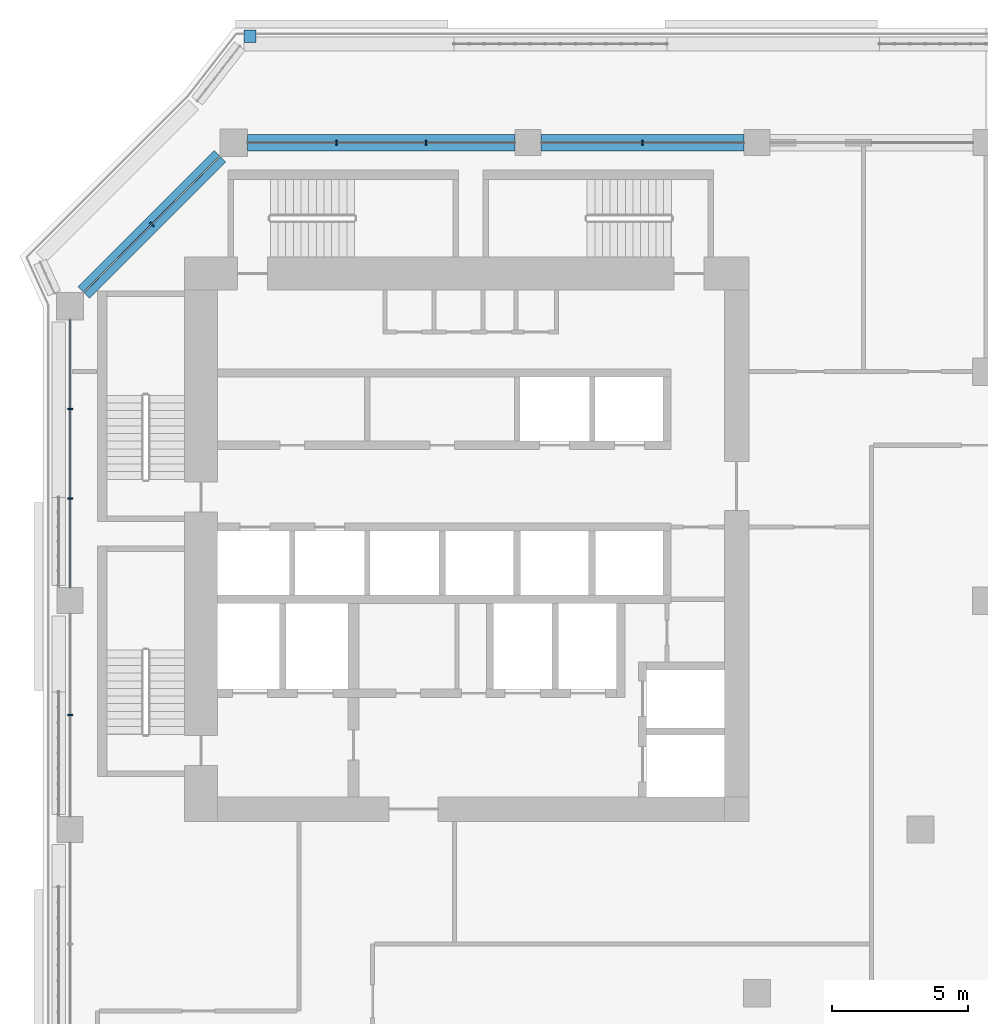
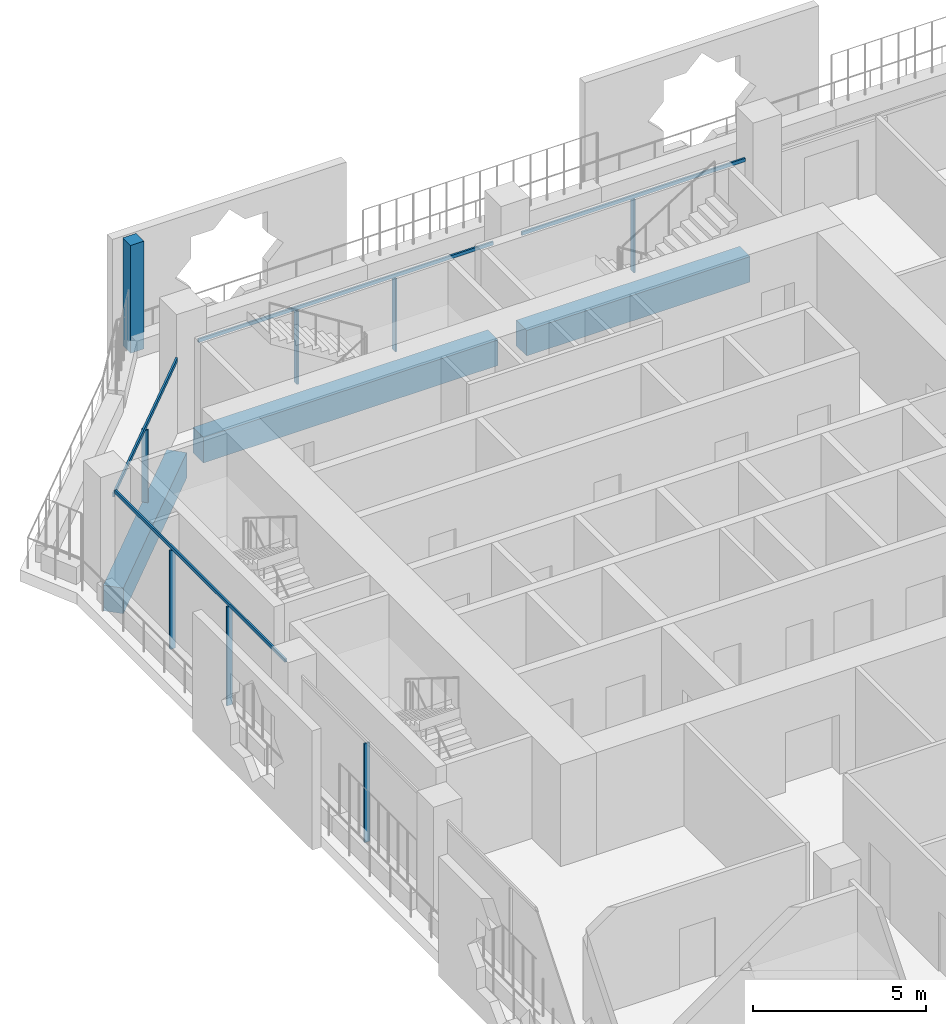
# One storey, part 5 of 21: 12 members, 3 beams, 4 elements without a shape of their own.
"""IFC4 building model written with IfcOpenShell, lengths in metres."""

from ifc_helpers import new_model, si_unit, direction, frame, origin, origin_2d, place, context, subcontext, project, spatial, rectangle, extrude, material, layer, layer_set, material_profile, profile_set, type_object, element, aggregate, save


model = new_model("IFC4")

# Units and contexts
model_context = context("Model", 3, precision=1e-05, world=origin(), true_north=direction((0.0, 1.0)))
body_context = subcontext(model_context, "Body", "Model", "MODEL_VIEW")
ifc_project = project(units=[si_unit("LENGTHUNIT", "METRE"), si_unit("AREAUNIT", "SQUARE_METRE"), si_unit("VOLUMEUNIT", "CUBIC_METRE"), si_unit("PLANEANGLEUNIT", "RADIAN"), si_unit("MASSUNIT", "GRAM", prefix="KILO")], contexts=[model_context])

# Site, building, storey
site_placement = place(None, origin())
site = spatial("IfcSite", under=ifc_project, at=site_placement, CompositionType="ELEMENT")
building_placement = place(site_placement, origin())
building = spatial("IfcBuilding", under=site, at=building_placement, Name="Kawkab Arch Medical Tower", CompositionType="ELEMENT")
storey_placement = place(building_placement, frame((0.0, 0.0, 200.39990234375)))
storey = spatial("IfcBuildingStorey", under=building, at=storey_placement, Name="L46", CompositionType="ELEMENT", Elevation=200.39990234375)

# Curtain wall, members
ifc_material_1 = material(Name="Bronze anodised aluminium curtain wall frame", Category="aluminium")
ifc_layer_1 = layer(ifc_material_1, 0.159912109375)
ifc_layer_set_1 = layer_set([ifc_layer_1], Name="Bronze anodised aluminium curtain wall frame")
curtain_wall_type_1 = type_object("IfcCurtainWallType", Name="CW1 ward curtain wall", PredefinedType="NOTDEFINED", material=ifc_layer_set_1)
placement = place(storey_placement, origin())
curtain_wall_1 = element("IfcCurtainWall", 1, at=placement, inside=storey, type_object=curtain_wall_type_1, Name="CW1 Ward curtain wall R01", PredefinedType="NOTDEFINED")
ifc_material_2 = material(Name="Bronze anodised aluminium curtain wall frame", Category="aluminium")
ifc_material_profile_1 = material_profile(ifc_material_2, rectangle(XDim=0.179931640625, YDim=0.06005859375, at=origin_2d()), Name="AL 60x180")
ifc_profile_set_1 = profile_set([ifc_material_profile_1], Name="Bronze anodised aluminium curtain wall frame")
member_type_1 = type_object("IfcMemberType", Name="CW1 mullion 60 x 180", PredefinedType="MULLION", material=ifc_profile_set_1)
member_1_placement = place(storey_placement, frame((0.0, -9.77490234375, 0.0), z_axis=(0.0, 0.0, 1.0), x_axis=(1.0, 0.0, 0.0)))
member_1 = element("IfcMember", 2, at=member_1_placement, type_object=member_type_1, Name="CW1 mullion 1.1", PredefinedType="MULLION", context=body_context, shape_type="SweptSolid", body=[
    extrude(rectangle(XDim=0.179931640625, YDim=0.06005859375, at=origin_2d()), origin(), (0.0, 0.0, 1.0), 3.47998046875),
])
member_2_placement = place(storey_placement, frame((0.0, -13.050048828125, 0.0), z_axis=(0.0, 0.0, 1.0), x_axis=(1.0, 0.0, 0.0)))
member_2 = element("IfcMember", 3, at=member_2_placement, type_object=member_type_1, Name="CW1 mullion 1.2", PredefinedType="MULLION", context=body_context, shape_type="SweptSolid", body=[
    extrude(rectangle(XDim=0.179931640625, YDim=0.06005859375, at=origin_2d()), origin(), (0.0, 0.0, 1.0), 3.47998046875),
])
member_3_placement = place(storey_placement, frame((0.0, -21.0, 0.0), z_axis=(0.0, 0.0, 1.0), x_axis=(1.0, 0.0, 0.0)))
member_3 = element("IfcMember", 4, at=member_3_placement, type_object=member_type_1, Name="CW1 mullion 2.1", PredefinedType="MULLION", context=body_context, shape_type="SweptSolid", body=[
    extrude(rectangle(XDim=0.179931640625, YDim=0.06005859375, at=origin_2d()), origin(), (0.0, 0.0, 1.0), 3.47998046875),
])

curtain_wall_2 = element("IfcCurtainWall", 5, at=placement, inside=storey, type_object=curtain_wall_type_1, Name="CW1 Ward curtain wall R11", PredefinedType="NOTDEFINED")
member_4_placement = place(storey_placement, frame((21.0, 0.0, 0.0), z_axis=(0.0, 0.0, 1.0), x_axis=(0.0, -1.0, 0.0)))
member_4 = element("IfcMember", 6, at=member_4_placement, type_object=member_type_1, Name="CW1 mullion 5.1", PredefinedType="MULLION", context=body_context, shape_type="SweptSolid", body=[
    extrude(rectangle(XDim=0.179931640625, YDim=0.06005859375, at=origin_2d()), origin(), (0.0, 0.0, 1.0), 2.580078125),
])
member_5_placement = place(storey_placement, frame((13.050048828125, 0.0, 0.0), z_axis=(0.0, 0.0, 1.0), x_axis=(0.0, -1.0, 0.0)))
member_5 = element("IfcMember", 7, at=member_5_placement, type_object=member_type_1, Name="CW1 mullion 6.1", PredefinedType="MULLION", context=body_context, shape_type="SweptSolid", body=[
    extrude(rectangle(XDim=0.179931640625, YDim=0.06005859375, at=origin_2d()), origin(), (0.0, 0.0, 1.0), 2.580078125),
])
member_6_placement = place(storey_placement, frame((9.77490234375, 0.0, 0.0), z_axis=(0.0, 0.0, 1.0), x_axis=(0.0, -1.0, 0.0)))
member_6 = element("IfcMember", 8, at=member_6_placement, type_object=member_type_1, Name="CW1 mullion 6.2", PredefinedType="MULLION", context=body_context, shape_type="SweptSolid", body=[
    extrude(rectangle(XDim=0.179931640625, YDim=0.06005859375, at=origin_2d()), origin(), (0.0, 0.0, 1.0), 2.580078125),
])

# Member
ifc_material_3 = material(Name="Bronze anodised aluminium curtain wall frame", Category="aluminium")
ifc_material_profile_2 = material_profile(ifc_material_3, rectangle(XDim=0.06005859375, YDim=0.1201171875, at=origin_2d()), Name="AL 60x120")
ifc_profile_set_2 = profile_set([ifc_material_profile_2], Name="Bronze anodised aluminium curtain wall frame")
member_type_2 = type_object("IfcMemberType", Name="CW1 transom 120 x 60", PredefinedType="USERDEFINED", material=ifc_profile_set_2)
member_7_placement = place(storey_placement, frame((0.0, -6.5, 3.5400390625), z_axis=(0.0, -1.0, 0.0), x_axis=(1.0, 0.0, 0.0)))
member_7 = element("IfcMember", 9, at=member_7_placement, type_object=member_type_2, Name="CW1 transom 1", ObjectType="TRANSOM", PredefinedType="USERDEFINED", context=body_context, shape_type="SweptSolid", body=[
    extrude(rectangle(XDim=0.06005859375, YDim=0.1201171875, at=origin_2d()), origin(), (0.0, 0.0, 1.0), 9.824951171875),
])

aggregate(curtain_wall_1, [member_7, member_1, member_2, member_3])

member_8_placement = place(storey_placement, frame((24.72509765625, 0.0, 2.64013671875), z_axis=(-1.0, 0.0, 0.0), x_axis=(0.0, -1.0, 0.0)))
member_8 = element("IfcMember", 10, at=member_8_placement, type_object=member_type_2, Name="CW1 transom 5", ObjectType="TRANSOM", PredefinedType="USERDEFINED", context=body_context, shape_type="SweptSolid", body=[
    extrude(rectangle(XDim=0.06005859375, YDim=0.1201171875, at=origin_2d()), origin(), (0.0, 0.0, 1.0), 7.4501953125),
])

member_9_placement = place(storey_placement, frame((16.324951171875, 0.0, 2.64013671875), z_axis=(-1.0, 0.0, 0.0), x_axis=(0.0, -1.0, 0.0)))
member_9 = element("IfcMember", 11, at=member_9_placement, type_object=member_type_2, Name="CW1 transom 6", ObjectType="TRANSOM", PredefinedType="USERDEFINED", context=body_context, shape_type="SweptSolid", body=[
    extrude(rectangle(XDim=0.06005859375, YDim=0.1201171875, at=origin_2d()), origin(), (0.0, 0.0, 1.0), 9.824951171875),
])

aggregate(curtain_wall_2, [member_8, member_4, member_9, member_5, member_6])

# Curtain wall, members
ifc_material_4 = material(Name="Bronze anodised aluminium curtain wall frame", Category="aluminium")
ifc_layer_2 = layer(ifc_material_4, 0.159912109375)
ifc_layer_set_2 = layer_set([ifc_layer_2], Name="Bronze anodised aluminium curtain wall frame")
curtain_wall_type_2 = type_object("IfcCurtainWallType", Name="CW2 chamfer curtain wall", PredefinedType="NOTDEFINED", material=ifc_layer_set_2)
curtain_wall_3 = element("IfcCurtainWall", 12, at=placement, inside=storey, type_object=curtain_wall_type_2, Name="CW2 Chamfer curtain wall R12", PredefinedType="NOTDEFINED")
ifc_material_5 = material(Name="Bronze anodised aluminium curtain wall frame", Category="aluminium")
ifc_material_profile_3 = material_profile(ifc_material_5, rectangle(XDim=0.199951171875, YDim=0.06005859375, at=origin_2d()), Name="AL 60x200")
ifc_profile_set_3 = profile_set([ifc_material_profile_3], Name="Bronze anodised aluminium curtain wall frame")
member_type_3 = type_object("IfcMemberType", Name="CW2 mullion 60 x 200", PredefinedType="MULLION", material=ifc_profile_set_3)
member_10_placement = place(storey_placement, frame((3.0, -3.0, 0.0), z_axis=(0.0, 0.0, 1.0), x_axis=(0.707106781187, -0.707106781187, 0.0)))
member_10 = element("IfcMember", 13, at=member_10_placement, type_object=member_type_3, Name="CW2 mullion 1.1", PredefinedType="MULLION", context=body_context, shape_type="SweptSolid", body=[
    extrude(rectangle(XDim=0.199951171875, YDim=0.06005859375, at=origin_2d()), origin(), (0.0, 0.0, 1.0), 2.56005859375),
])
ifc_material_6 = material(Name="Bronze anodised aluminium curtain wall frame", Category="aluminium")
ifc_material_profile_4 = material_profile(ifc_material_6, rectangle(XDim=0.06005859375, YDim=0.139892578125, at=origin_2d()), Name="AL 60x140")
ifc_profile_set_4 = profile_set([ifc_material_profile_4], Name="Bronze anodised aluminium curtain wall frame")
member_type_4 = type_object("IfcMemberType", Name="CW2 transom 140 x 60", PredefinedType="USERDEFINED", material=ifc_profile_set_4)
member_11_placement = place(storey_placement, frame((5.5, -0.5, 2.630126953125), z_axis=(-0.707106781187, -0.707106781187, 0.0), x_axis=(0.707106781187, -0.707106781187, 0.0)))
member_11 = element("IfcMember", 14, at=member_11_placement, type_object=member_type_4, Name="CW2 transom 1", ObjectType="TRANSOM", PredefinedType="USERDEFINED", context=body_context, shape_type="SweptSolid", body=[
    extrude(rectangle(XDim=0.06005859375, YDim=0.139892578125, at=origin_2d()), origin(), (0.0, 0.0, 1.0), 7.071044921875),
])
aggregate(curtain_wall_3, [member_11, member_10])

# Curtain wall, member
ifc_material_7 = material(Name="Bronze anodised aluminium climber frame, planted", Category="aluminium")
ifc_layer_3 = layer(ifc_material_7, 0.449951171875)
ifc_layer_set_3 = layer_set([ifc_layer_3], Name="Bronze anodised aluminium climber frame, planted")
curtain_wall_type_3 = type_object("IfcCurtainWallType", Name="Planted climber frame", PredefinedType="NOTDEFINED", material=ifc_layer_set_3)
curtain_wall_4 = element("IfcCurtainWall", 15, at=placement, inside=storey, type_object=curtain_wall_type_3, Name="Planted climber frame L46", PredefinedType="NOTDEFINED")
ifc_material_8 = material(Name="Bronze anodised aluminium climber frame, planted", Category="aluminium")
ifc_material_profile_5 = material_profile(ifc_material_8, rectangle(XDim=0.449951171875, YDim=0.449951171875, at=origin_2d()), Name="Post 450x450")
ifc_profile_set_5 = profile_set([ifc_material_profile_5], Name="Bronze anodised aluminium climber frame, planted")
member_type_5 = type_object("IfcMemberType", Name="Planted climber post 450 x 450", PredefinedType="MULLION", material=ifc_profile_set_5)
member_12_placement = place(storey_placement, frame((6.596923828125, 3.89990234375, 0.0), z_axis=(0.0, 0.0, 1.0), x_axis=(1.0, 0.0, 0.0)))
member_12 = element("IfcMember", 16, at=member_12_placement, type_object=member_type_5, Name="Planted climber post L46.LOG-01-01.1", PredefinedType="MULLION", context=body_context, shape_type="SweptSolid", body=[
    extrude(rectangle(XDim=0.449951171875, YDim=0.449951171875, at=origin_2d()), origin(), (0.0, 0.0, 1.0), 3.800048828125),
])
aggregate(curtain_wall_4, [member_12])

# Beams
ifc_material_9 = material(Name="Concrete C50/60", Category="concrete")
ifc_material_profile_6 = material_profile(ifc_material_9, rectangle(XDim=0.60009765625, YDim=0.89990234375, at=origin_2d()), Name="RC 600x900")
ifc_profile_set_6 = profile_set([ifc_material_profile_6], Name="Concrete C50/60")
beam_type = type_object("IfcBeamType", Name="RC 600x900 beam C50/60", PredefinedType="BEAM", material=ifc_profile_set_6)
beam_1_placement = place(storey_placement, frame((0.5, -5.5, -1.0498046875), z_axis=(0.707106781187, 0.707106781187, 0.0), x_axis=(-0.707106781187, 0.707106781187, 0.0)))
element("IfcBeam", 17, at=beam_1_placement, inside=storey, type_object=beam_type, Name="Overhang edge beam L46-01", PredefinedType="BEAM", context=body_context, shape_type="SweptSolid", body=[
    extrude(rectangle(XDim=0.60009765625, YDim=0.89990234375, at=origin_2d()), origin(), (0.0, 0.0, 1.0), 7.071044921875),
])
beam_2_placement = place(storey_placement, frame((6.5, 0.0, -1.0498046875), z_axis=(1.0, 0.0, 0.0), x_axis=(0.0, 1.0, 0.0)))
element("IfcBeam", 18, at=beam_2_placement, inside=storey, type_object=beam_type, Name="Overhang edge beam L46-02", PredefinedType="BEAM", context=body_context, shape_type="SweptSolid", body=[
    extrude(rectangle(XDim=0.60009765625, YDim=0.89990234375, at=origin_2d()), origin(), (0.0, 0.0, 1.0), 9.824951171875),
])
beam_3_placement = place(storey_placement, frame((17.27490234375, 0.0, -1.0498046875), z_axis=(1.0, 0.0, 0.0), x_axis=(0.0, 1.0, 0.0)))
element("IfcBeam", 19, at=beam_3_placement, inside=storey, type_object=beam_type, Name="Overhang edge beam L46-03", PredefinedType="BEAM", context=body_context, shape_type="SweptSolid", body=[
    extrude(rectangle(XDim=0.60009765625, YDim=0.89990234375, at=origin_2d()), origin(), (0.0, 0.0, 1.0), 7.4501953125),
])

save(model, "model.ifc")
